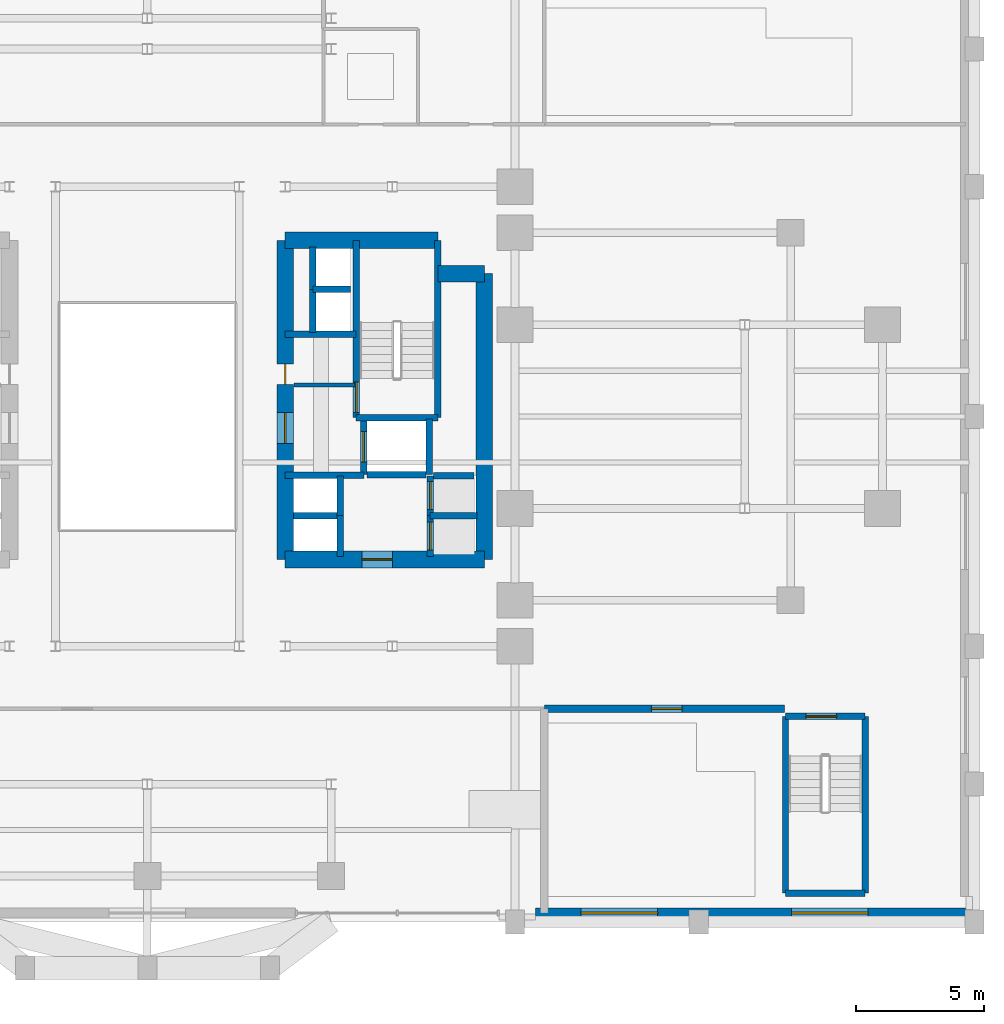
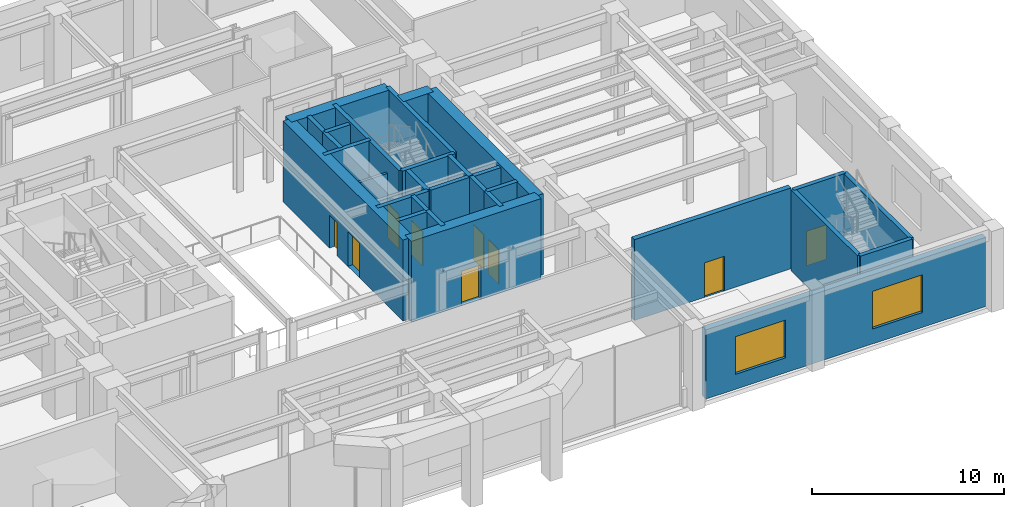
# One storey, part 11 of 16: 30 walls, 9 doors, 2 windows, 11 openings.
"""IFC4 building model written with IfcOpenShell, lengths in metres."""

from ifc_helpers import new_model, si_unit, direction, frame, frame_2d, origin, place, context, subcontext, project, spatial, rectangle, extrude, source, transform, mapped, material, layer, layer_set, type_object, element, fill, save


model = new_model("IFC4")

# Units and contexts
model_context = context("Model", 3, precision=1e-05, world=origin(), true_north=direction((0.0, 1.0)))
body_context = subcontext(model_context, "Body", "Model", "MODEL_VIEW")
ifc_project = project(units=[si_unit("LENGTHUNIT", "METRE"), si_unit("AREAUNIT", "SQUARE_METRE"), si_unit("VOLUMEUNIT", "CUBIC_METRE"), si_unit("PLANEANGLEUNIT", "RADIAN"), si_unit("MASSUNIT", "GRAM", prefix="KILO")], contexts=[model_context])

# Site, building, storey
site_placement = place(None, origin())
site = spatial("IfcSite", under=ifc_project, at=site_placement, CompositionType="ELEMENT")
building_placement = place(site_placement, origin())
building = spatial("IfcBuilding", under=site, at=building_placement, Name="Keilestroom Media Tower", CompositionType="ELEMENT")
storey_placement = place(building_placement, frame((0.0, 0.0, 10.199951171875)))
storey = spatial("IfcBuildingStorey", under=building, at=storey_placement, Name="L02", CompositionType="ELEMENT", Elevation=10.199951171875)

# Wall, opening, door
ifc_material_1 = material(Name="Concrete C45/55", Category="concrete")
ifc_layer_1 = layer(ifc_material_1, 0.300048828125)
ifc_layer_set_1 = layer_set([ifc_layer_1], Name="Concrete C45/55")
wall_type_1 = type_object("IfcWallType", Name="Acoustic-Studio-Isolation-Wall-300", PredefinedType="SOLIDWALL", material=ifc_layer_set_1)
wall_1_placement = place(storey_placement, frame((15.550048828125, -11.449951171875, 0.0), z_axis=(0.0, 0.0, 1.0), x_axis=(1.0, 0.0, 0.0)))
wall_1 = element("IfcWall", 1, at=wall_1_placement, inside=storey, type_object=wall_type_1, Name="L02 Interior Wall WP-L02-STD-SE-N", PredefinedType="SOLIDWALL", context=body_context, shape_type="SweptSolid", body=[
    extrude(rectangle(XDim=9.409912109375, YDim=0.300048828125, at=frame_2d((4.705078125, 0.0))), origin(), (0.0, 0.0, 1.0), 5.150146484375),
])
opening_1_placement = place(wall_1_placement, frame((4.199951171875, 0.0, 0.0)))
opening_1 = element("IfcOpeningElement", 2, at=opening_1_placement, cuts=wall_1, Name="Opening DI-02", PredefinedType="OPENING", context=body_context, shape_type="SweptSolid", body=[
    extrude(rectangle(XDim=1.199951171875, YDim=2.199951171875, at=frame_2d((0.60009765625, 1.10009765625))), frame((0.0, 0.16015625, 0.0), z_axis=(0.0, -1.0, 0.0), x_axis=(1.0, 0.0, 0.0)), (0.0, 0.0, 1.0), 0.320068359375),
])
ifc_material_2 = material(Name="Powder-Coated Steel Fire Leaf", Category="steel")
door_type_1 = type_object("IfcDoorType", Name="Interior-Compartment-Fire-Door-DI-02", OperationType="NOTDEFINED", PredefinedType="DOOR", material=ifc_material_2)
shared_shape_1 = source(origin(), body_context, "Body", "SweptSolid", [
    extrude(rectangle(XDim=1.199951171875, YDim=2.199951171875, at=frame_2d((0.60009765625, 1.10009765625))), frame((0.0, 0.02490234375, 0.0), z_axis=(0.0, -1.0, 0.0), x_axis=(1.0, 0.0, 0.0)), (0.0, 0.0, 1.0), 0.050048828125),
])
door_1_placement = place(opening_1_placement, origin())
door_1 = element("IfcDoor", 3, at=door_1_placement, inside=storey, type_object=door_type_1, Name="L02 Interior Door DI-L02-STD-SE-D", OperationType="SINGLE_SWING_RIGHT", OverallHeight=2.199951171875, OverallWidth=1.199951171875, PredefinedType="DOOR", context=body_context, shape_type="MappedRepresentation", body=[
    mapped(shared_shape_1, transform((0.0, 0.0, 0.0), x_axis=(1.0, 0.0, 0.0), y_axis=(0.0, 1.0, 0.0), z_axis=(0.0, 0.0, 1.0), scale=1.0)),
])
fill(opening_1, door_1)

# Wall, openings, windows
ifc_material_3 = material(Name="Precast concrete C40/50", Category="concrete")
ifc_layer_2 = layer(ifc_material_3, 0.3798828125)
ifc_layer_set_2 = layer_set([ifc_layer_2], Name="Precast concrete C40/50")
wall_type_2 = type_object("IfcWallType", Name="Exterior-Masonry-Spandrel-Wall-380", PredefinedType="SOLIDWALL", material=ifc_layer_set_2)
wall_2_placement = place(storey_placement, frame((15.199951171875, -19.449951171875, 0.0), z_axis=(0.0, 0.0, 1.0), x_axis=(1.0, 0.0, 0.0)))
wall_2 = element("IfcWall", 4, at=wall_2_placement, inside=storey, type_object=wall_type_2, Name="L02 Podium Precast Masonry Wall EWL-L02-S-E", PredefinedType="SOLIDWALL", context=body_context, shape_type="SweptSolid", body=[
    extrude(rectangle(XDim=16.85009765625, YDim=0.3798828125, at=frame_2d((8.425048828125, 0.0))), origin(), (0.0, 0.0, 1.0), 4.400146484375),
])
opening_2_placement = place(wall_2_placement, frame((1.7880859375, 0.0, 0.949951171875)))
opening_2 = element("IfcOpeningElement", 5, at=opening_2_placement, cuts=wall_2, Name="Opening WN-05", PredefinedType="OPENING", context=body_context, shape_type="SweptSolid", body=[
    extrude(rectangle(XDim=3.0, YDim=2.39990234375, at=frame_2d((1.5, 1.199951171875))), frame((0.0, 0.199951171875, 0.0), z_axis=(0.0, -1.0, 0.0), x_axis=(1.0, 0.0, 0.0)), (0.0, 0.0, 1.0), 0.39990234375),
])
opening_3_placement = place(wall_2_placement, frame((10.037109375, 0.0, 0.949951171875)))
opening_3 = element("IfcOpeningElement", 6, at=opening_3_placement, cuts=wall_2, Name="Opening WN-05", PredefinedType="OPENING", context=body_context, shape_type="SweptSolid", body=[
    extrude(rectangle(XDim=3.0, YDim=2.39990234375, at=frame_2d((1.5, 1.199951171875))), frame((0.0, 0.199951171875, 0.0), z_axis=(0.0, -1.0, 0.0), x_axis=(1.0, 0.0, 0.0)), (0.0, 0.0, 1.0), 0.39990234375),
])
ifc_material_4 = material(Name="Acoustic Studio Observation Window", Category="glass")
window_type = type_object("IfcWindowType", Name="Recessed-Punched-Window-WN-05", PartitioningType="TRIPLE_PANEL_VERTICAL", PredefinedType="WINDOW", material=ifc_material_4)
shared_shape_2 = source(origin(), body_context, "Body", "SweptSolid", [
    extrude(rectangle(XDim=3.0, YDim=2.39990234375, at=frame_2d((1.5, 1.199951171875))), frame((0.0, 0.030029296875, 0.0), z_axis=(0.0, -1.0, 0.0), x_axis=(1.0, 0.0, 0.0)), (0.0, 0.0, 1.0), 0.06005859375),
])
window_1_placement = place(opening_2_placement, origin())
window_1 = element("IfcWindow", 7, at=window_1_placement, inside=storey, type_object=window_type, Name="L02 Window WN-05 EWL-L02-S-E-1", OverallHeight=2.39990234375, OverallWidth=3.0, PartitioningType="SINGLE_PANEL", PredefinedType="WINDOW", context=body_context, shape_type="MappedRepresentation", body=[
    mapped(shared_shape_2, transform((0.0, 0.0, 0.0), x_axis=(1.0, 0.0, 0.0), y_axis=(0.0, 1.0, 0.0), z_axis=(0.0, 0.0, 1.0), scale=1.0)),
])
fill(opening_2, window_1)
window_2_placement = place(opening_3_placement, origin())
window_2 = element("IfcWindow", 8, at=window_2_placement, inside=storey, type_object=window_type, Name="L02 Window WN-05 EWL-L02-S-E-2", OverallHeight=2.39990234375, OverallWidth=3.0, PartitioningType="SINGLE_PANEL", PredefinedType="WINDOW", context=body_context, shape_type="MappedRepresentation", body=[
    mapped(shared_shape_2, transform((0.0, 0.0, 0.0), x_axis=(1.0, 0.0, 0.0), y_axis=(0.0, 1.0, 0.0), z_axis=(0.0, 0.0, 1.0), scale=1.0)),
])
fill(opening_3, window_2)

# Walls
ifc_material_5 = material(Name="Gypsum Plasterboard & Steel Stud", Category="steel")
ifc_layer_3 = layer(ifc_material_5, 0.14990234375)
ifc_layer_set_3 = layer_set([ifc_layer_3], Name="Gypsum Plasterboard & Steel Stud")
wall_type_3 = type_object("IfcWallType", Name="Interior-Partition-Wall-150", PredefinedType="PARTITIONING", material=ifc_layer_set_3)
wall_3_placement = place(storey_placement, frame((5.75, 1.239990234375, 0.0), z_axis=(0.0, 0.0, 1.0), x_axis=(1.0, 0.0, 0.0)))
element("IfcWall", 9, at=wall_3_placement, inside=storey, type_object=wall_type_3, Name="L02 Interior Wall WP-L02-FFE-TOP", PredefinedType="PARTITIONING", context=body_context, shape_type="SweptSolid", body=[
    extrude(rectangle(XDim=2.389892578125, YDim=0.14990234375, at=frame_2d((1.19482421875, 0.0))), origin(), (0.0, 0.0, 1.0), 4.25),
])
ifc_material_6 = material(Name="Concrete C70/85", Category="concrete")
ifc_layer_4 = layer(ifc_material_6, 0.64990234375)
ifc_layer_set_4 = layer_set([ifc_layer_4], Name="Concrete C70/85")
wall_type_4 = type_object("IfcWallType", Name="Reinforced-Concrete-Core-Shear-Wall-650", PredefinedType="SHEAR", material=ifc_layer_set_4)
wall_4_placement = place(storey_placement, frame((13.199951171875, -5.60009765625, 0.0), z_axis=(0.0, 0.0, 1.0), x_axis=(0.0, 1.0, 0.0)))
element("IfcWall", 10, at=wall_4_placement, inside=storey, type_object=wall_type_4, Name="L02 Core Shear Wall WL-L02-CORE-E-OUT", PredefinedType="SHEAR", context=body_context, shape_type="SweptSolid", body=[
    extrude(rectangle(XDim=11.2001953125, YDim=0.64990234375, at=frame_2d((5.60009765625, 0.0))), origin(), (0.0, 0.0, 1.0), 5.150146484375),
])

# Wall, openings, doors
wall_5_placement = place(storey_placement, frame((5.39990234375, -5.60009765625, 0.0), z_axis=(0.0, 0.0, 1.0), x_axis=(0.0, 1.0, 0.0)))
wall_5 = element("IfcWall", 11, at=wall_5_placement, inside=storey, type_object=wall_type_4, Name="L02 Core Shear Wall WL-L02-CORE-E-IN", PredefinedType="SHEAR", context=body_context, shape_type="SweptSolid", body=[
    extrude(rectangle(XDim=12.5, YDim=0.64990234375, at=frame_2d((6.25, 0.0))), origin(), (0.0, 0.0, 1.0), 5.150146484375),
])
opening_4_placement = place(wall_5_placement, frame((4.550048828125, 0.0, 0.0)))
opening_4 = element("IfcOpeningElement", 12, at=opening_4_placement, cuts=wall_5, Name="Opening DI-02", PredefinedType="OPENING", context=body_context, shape_type="SweptSolid", body=[
    extrude(rectangle(XDim=1.199951171875, YDim=2.199951171875, at=frame_2d((0.60009765625, 1.10009765625))), frame((0.0, 0.3349609375, 0.0), z_axis=(0.0, -1.0, 0.0), x_axis=(1.0, 0.0, 0.0)), (0.0, 0.0, 1.0), 0.669921875),
])
opening_5_placement = place(wall_5_placement, frame((6.860107421875, 0.0, 0.0)))
opening_5 = element("IfcOpeningElement", 13, at=opening_5_placement, cuts=wall_5, Name="Opening DI-06", PredefinedType="OPENING", context=body_context, shape_type="SweptSolid", body=[
    extrude(rectangle(XDim=0.800048828125, YDim=2.10009765625, at=frame_2d((0.39990234375, 1.050048828125))), frame((0.0, 0.3349609375, 0.0), z_axis=(0.0, -1.0, 0.0), x_axis=(1.0, 0.0, 0.0)), (0.0, 0.0, 1.0), 0.669921875),
])
door_2_placement = place(opening_4_placement, origin())
door_2 = element("IfcDoor", 14, at=door_2_placement, inside=storey, type_object=door_type_1, Name="L02 E Firefighting Lobby Door", OperationType="SINGLE_SWING_LEFT", OverallHeight=2.199951171875, OverallWidth=1.199951171875, PredefinedType="DOOR", context=body_context, shape_type="MappedRepresentation", body=[
    mapped(shared_shape_1, transform((0.0, 0.0, 0.0), x_axis=(1.0, 0.0, 0.0), y_axis=(0.0, 1.0, 0.0), z_axis=(0.0, 0.0, 1.0), scale=1.0)),
])
fill(opening_4, door_2)
ifc_material_7 = material(Name="Powder-Coated Steel Service Leaf", Category="steel")
door_type_2 = type_object("IfcDoorType", Name="Interior-Riser-Access-Door-DI-06", OperationType="NOTDEFINED", PredefinedType="DOOR", material=ifc_material_7)
shared_shape_3 = source(origin(), body_context, "Body", "SweptSolid", [
    extrude(rectangle(XDim=0.800048828125, YDim=2.10009765625, at=frame_2d((0.39990234375, 1.050048828125))), frame((0.0, 0.02490234375, 0.0), z_axis=(0.0, -1.0, 0.0), x_axis=(1.0, 0.0, 0.0)), (0.0, 0.0, 1.0), 0.050048828125),
])
door_3_placement = place(opening_5_placement, origin())
door_3 = element("IfcDoor", 15, at=door_3_placement, inside=storey, type_object=door_type_2, Name="L02 East Core Telecom Door", OperationType="SINGLE_SWING_RIGHT", OverallHeight=2.10009765625, OverallWidth=0.800048828125, PredefinedType="DOOR", context=body_context, shape_type="MappedRepresentation", body=[
    mapped(shared_shape_3, transform((0.0, 0.0, 0.0), x_axis=(1.0, 0.0, 0.0), y_axis=(0.0, 1.0, 0.0), z_axis=(0.0, 0.0, 1.0), scale=1.0)),
])
fill(opening_5, door_3)

# Walls
wall_6_placement = place(storey_placement, frame((5.39990234375, 6.89990234375, 0.0), z_axis=(0.0, 0.0, 1.0), x_axis=(1.0, 0.0, 0.0)))
element("IfcWall", 16, at=wall_6_placement, inside=storey, type_object=wall_type_4, Name="L02 Core Shear Wall WL-L02-CORE-E-N", PredefinedType="SHEAR", context=body_context, shape_type="SweptSolid", body=[
    extrude(rectangle(XDim=5.981201171875, YDim=0.64990234375, at=frame_2d((2.99072265625, 0.0))), origin(), (0.0, 0.0, 1.0), 5.150146484375),
])
wall_7_placement = place(storey_placement, frame((11.381103515625, 5.60009765625, 0.0), z_axis=(0.0, 0.0, 1.0), x_axis=(1.0, 0.0, 0.0)))
element("IfcWall", 17, at=wall_7_placement, inside=storey, type_object=wall_type_4, Name="L02 Core Shear Wall WL-L02-CNE-N", PredefinedType="SHEAR", context=body_context, shape_type="SweptSolid", body=[
    extrude(rectangle(XDim=1.81884765625, YDim=0.64990234375, at=frame_2d((0.909423828125, 0.0))), origin(), (0.0, 0.0, 1.0), 5.150146484375),
])

# Wall, opening, door
wall_8_placement = place(storey_placement, frame((5.39990234375, -5.60009765625, 0.0), z_axis=(0.0, 0.0, 1.0), x_axis=(1.0, 0.0, 0.0)))
wall_8 = element("IfcWall", 18, at=wall_8_placement, inside=storey, type_object=wall_type_4, Name="L02 Core Shear Wall WL-L02-CORE-E-S", PredefinedType="SHEAR", context=body_context, shape_type="SweptSolid", body=[
    extrude(rectangle(XDim=7.800048828125, YDim=0.64990234375, at=frame_2d((3.89990234375, 0.0))), origin(), (0.0, 0.0, 1.0), 5.150146484375),
])
opening_6_placement = place(wall_8_placement, frame((3.0, 0.0, 0.0)))
opening_6 = element("IfcOpeningElement", 19, at=opening_6_placement, cuts=wall_8, Name="Opening DI-02", PredefinedType="OPENING", context=body_context, shape_type="SweptSolid", body=[
    extrude(rectangle(XDim=1.199951171875, YDim=2.199951171875, at=frame_2d((0.60009765625, 1.10009765625))), frame((0.0, 0.3349609375, 0.0), z_axis=(0.0, -1.0, 0.0), x_axis=(1.0, 0.0, 0.0)), (0.0, 0.0, 1.0), 0.669921875),
])
door_4_placement = place(opening_6_placement, origin())
door_4 = element("IfcDoor", 20, at=door_4_placement, inside=storey, type_object=door_type_1, Name="L02 E Passenger Lift Lobby Door", OperationType="SINGLE_SWING_RIGHT", OverallHeight=2.199951171875, OverallWidth=1.199951171875, PredefinedType="DOOR", context=body_context, shape_type="MappedRepresentation", body=[
    mapped(shared_shape_1, transform((0.0, 0.0, 0.0), x_axis=(1.0, 0.0, 0.0), y_axis=(0.0, 1.0, 0.0), z_axis=(0.0, 0.0, 1.0), scale=1.0)),
])
fill(opening_6, door_4)

# Walls
ifc_material_8 = material(Name="Concrete C50/60", Category="concrete")
ifc_layer_5 = layer(ifc_material_8, 0.25)
ifc_layer_set_5 = layer_set([ifc_layer_5], Name="Concrete C50/60")
wall_type_5 = type_object("IfcWallType", Name="Reinforced-Concrete-Shaft-Wall-250", PredefinedType="SOLIDWALL", material=ifc_layer_set_5)
wall_9_placement = place(storey_placement, frame((5.39990234375, 3.219970703125, 0.0), z_axis=(0.0, 0.0, 1.0), x_axis=(1.0, 0.0, 0.0)))
element("IfcWall", 21, at=wall_9_placement, inside=storey, type_object=wall_type_5, Name="L02 Core Shear Wall WL-L02-CORE-E-FFN", PredefinedType="SOLIDWALL", context=body_context, shape_type="SweptSolid", body=[
    extrude(rectangle(XDim=2.780029296875, YDim=0.25, at=frame_2d((1.39013671875, 0.0))), origin(), (0.0, 0.0, 1.0), 5.150146484375),
])
wall_10_placement = place(storey_placement, frame((5.39990234375, -2.300048828125, 0.0), z_axis=(0.0, 0.0, 1.0), x_axis=(1.0, 0.0, 0.0)))
element("IfcWall", 22, at=wall_10_placement, inside=storey, type_object=wall_type_5, Name="L02 Core Shear Wall WL-L02-CORE-E-FFS", PredefinedType="SOLIDWALL", context=body_context, shape_type="SweptSolid", body=[
    extrude(rectangle(XDim=3.080078125, YDim=0.25, at=frame_2d((1.5400390625, 0.0))), origin(), (0.0, 0.0, 1.0), 5.150146484375),
])

# Wall, opening, door
wall_11_placement = place(storey_placement, frame((8.178955078125, -0.041015625, 0.0), z_axis=(0.0, 0.0, 1.0), x_axis=(0.0, 1.0, 0.0)))
wall_11 = element("IfcWall", 23, at=wall_11_placement, inside=storey, type_object=wall_type_5, Name="L02 Core Shear Wall WL-L02-STW-E-NEAR", PredefinedType="SOLIDWALL", context=body_context, shape_type="SweptSolid", body=[
    extrude(rectangle(XDim=6.94091796875, YDim=0.25, at=frame_2d((3.470458984375, 0.0))), origin(), (0.0, 0.0, 1.0), 5.150146484375),
])
opening_7_placement = place(wall_11_placement, frame((0.199951171875, 0.0, 0.0)))
opening_7 = element("IfcOpeningElement", 24, at=opening_7_placement, cuts=wall_11, Name="Opening DI-01S", PredefinedType="OPENING", context=body_context, shape_type="SweptSolid", body=[
    extrude(rectangle(XDim=1.199951171875, YDim=2.199951171875, at=frame_2d((0.60009765625, 1.10009765625))), frame((0.0, 0.135009765625, 0.0), z_axis=(0.0, -1.0, 0.0), x_axis=(1.0, 0.0, 0.0)), (0.0, 0.0, 1.0), 0.27001953125),
])
door_type_3 = type_object("IfcDoorType", Name="Interior-Stair-And-Core-Fire-Door-DI-01", OperationType="NOTDEFINED", PredefinedType="DOOR", material=ifc_material_2)
door_5_placement = place(opening_7_placement, origin())
door_5 = element("IfcDoor", 25, at=door_5_placement, inside=storey, type_object=door_type_3, Name="L02 Escape Stair ST-2 Fire Door", OperationType="SINGLE_SWING_RIGHT", OverallHeight=2.199951171875, OverallWidth=1.199951171875, PredefinedType="DOOR", context=body_context, shape_type="MappedRepresentation", body=[
    mapped(shared_shape_1, transform((0.0, 0.0, 0.0), x_axis=(1.0, 0.0, 0.0), y_axis=(0.0, 1.0, 0.0), z_axis=(0.0, 0.0, 1.0), scale=1.0)),
])
fill(opening_7, door_5)

# Walls
wall_12_placement = place(storey_placement, frame((11.381103515625, -0.041015625, 0.0), z_axis=(0.0, 0.0, 1.0), x_axis=(0.0, 1.0, 0.0)))
element("IfcWall", 26, at=wall_12_placement, inside=storey, type_object=wall_type_5, Name="L02 Core Shear Wall WL-L02-STW-E-FAR", PredefinedType="SOLIDWALL", context=body_context, shape_type="SweptSolid", body=[
    extrude(rectangle(XDim=6.94091796875, YDim=0.25, at=frame_2d((3.470458984375, 0.0))), origin(), (0.0, 0.0, 1.0), 5.150146484375),
])
wall_13_placement = place(storey_placement, frame((8.178955078125, -0.041015625, 0.0), z_axis=(0.0, 0.0, 1.0), x_axis=(1.0, 0.0, 0.0)))
element("IfcWall", 27, at=wall_13_placement, inside=storey, type_object=wall_type_5, Name="L02 Core Shear Wall WL-L02-STW-E-S", PredefinedType="SOLIDWALL", context=body_context, shape_type="SweptSolid", body=[
    extrude(rectangle(XDim=3.2021484375, YDim=0.25, at=frame_2d((1.60107421875, 0.0))), origin(), (0.0, 0.0, 1.0), 5.150146484375),
])
for number, where, z_axis, x_axis, name in (
    (28, (24.9990234375, -18.6708984375, 0.0), (0.0, 0.0, 1.0), (0.0, 1.0, 0.0), "L02 Core Shear Wall WL-L02-ST-4-W"),
    (29, (28.12109375, -18.6708984375, 0.0), (0.0, 0.0, 1.0), (0.0, 1.0, 0.0), "L02 Core Shear Wall WL-L02-ST-4-E"),
):
    element("IfcWall", number, at=place(storey_placement, frame(where, z_axis=z_axis, x_axis=x_axis)), inside=storey, type_object=wall_type_5, Name=name, PredefinedType="SOLIDWALL", context=body_context, shape_type="SweptSolid", body=[
        extrude(rectangle(XDim=6.921875, YDim=0.25, at=frame_2d((3.4609375, 0.0))), origin(), (0.0, 0.0, 1.0), 5.150146484375),
    ])
wall_14_placement = place(storey_placement, frame((24.9990234375, -18.6708984375, 0.0), z_axis=(0.0, 0.0, 1.0), x_axis=(1.0, 0.0, 0.0)))
element("IfcWall", 30, at=wall_14_placement, inside=storey, type_object=wall_type_5, Name="L02 Core Shear Wall WL-L02-ST-4-S", PredefinedType="SOLIDWALL", context=body_context, shape_type="SweptSolid", body=[
    extrude(rectangle(XDim=3.1220703125, YDim=0.25, at=frame_2d((1.56103515625, 0.0))), origin(), (0.0, 0.0, 1.0), 5.150146484375),
])

# Wall, opening, door
wall_15_placement = place(storey_placement, frame((24.9990234375, -11.7490234375, 0.0), z_axis=(0.0, 0.0, 1.0), x_axis=(1.0, 0.0, 0.0)))
wall_15 = element("IfcWall", 31, at=wall_15_placement, inside=storey, type_object=wall_type_5, Name="L02 Core Shear Wall WL-L02-ST-4-N", PredefinedType="SOLIDWALL", context=body_context, shape_type="SweptSolid", body=[
    extrude(rectangle(XDim=3.1220703125, YDim=0.25, at=frame_2d((1.56103515625, 0.0))), origin(), (0.0, 0.0, 1.0), 5.150146484375),
])
opening_8_placement = place(wall_15_placement, frame((0.800048828125, 0.0, 0.0)))
opening_8 = element("IfcOpeningElement", 32, at=opening_8_placement, cuts=wall_15, Name="Opening DI-01S", PredefinedType="OPENING", context=body_context, shape_type="SweptSolid", body=[
    extrude(rectangle(XDim=1.199951171875, YDim=2.199951171875, at=frame_2d((0.60009765625, 1.10009765625))), frame((0.0, 0.135009765625, 0.0), z_axis=(0.0, -1.0, 0.0), x_axis=(1.0, 0.0, 0.0)), (0.0, 0.0, 1.0), 0.27001953125),
])
door_6_placement = place(opening_8_placement, origin())
door_6 = element("IfcDoor", 33, at=door_6_placement, inside=storey, type_object=door_type_3, Name="L02 Podium Stair ST-4 Fire Door", OperationType="SINGLE_SWING_LEFT", OverallHeight=2.199951171875, OverallWidth=1.199951171875, PredefinedType="DOOR", context=body_context, shape_type="MappedRepresentation", body=[
    mapped(shared_shape_1, transform((0.0, 0.0, 0.0), x_axis=(1.0, 0.0, 0.0), y_axis=(0.0, 1.0, 0.0), z_axis=(0.0, 0.0, 1.0), scale=1.0)),
])
fill(opening_8, door_6)

wall_16_placement = place(storey_placement, frame((8.47998046875, -2.280029296875, 0.0), z_axis=(0.0, 0.0, 1.0), x_axis=(0.0, 1.0, 0.0)))
wall_16 = element("IfcWall", 34, at=wall_16_placement, inside=storey, type_object=wall_type_5, Name="L02 Core Shear Wall WL-L02-LSH-FFL-2-W", PredefinedType="SOLIDWALL", context=body_context, shape_type="SweptSolid", body=[
    extrude(rectangle(XDim=2.179931640625, YDim=0.25, at=frame_2d((1.08984375, 0.0))), origin(), (0.0, 0.0, 1.0), 5.150146484375),
])
opening_9_placement = place(wall_16_placement, frame((0.489990234375, 0.0, 0.0)))
opening_9 = element("IfcOpeningElement", 35, at=opening_9_placement, cuts=wall_16, Name="Opening LD-02", PredefinedType="OPENING", context=body_context, shape_type="SweptSolid", body=[
    extrude(rectangle(XDim=1.199951171875, YDim=2.199951171875, at=frame_2d((0.60009765625, 1.10009765625))), frame((0.0, 0.135009765625, 0.0), z_axis=(0.0, -1.0, 0.0), x_axis=(1.0, 0.0, 0.0)), (0.0, 0.0, 1.0), 0.27001953125),
])
ifc_material_9 = material(Name="Brushed Stainless Steel Sliding Leaf", Category="steel")
door_type_4 = type_object("IfcDoorType", Name="Lift-Landing-Sliding-Door-LD-02", OperationType="SLIDING_TO_RIGHT", PredefinedType="DOOR", material=ifc_material_9)
door_7_placement = place(opening_9_placement, origin())
door_7 = element("IfcDoor", 36, at=door_7_placement, inside=storey, type_object=door_type_4, Name="L02 Lift FFL-2 Landing Sliding Door", OperationType="SLIDING_TO_RIGHT", OverallHeight=2.199951171875, OverallWidth=1.199951171875, PredefinedType="DOOR", context=body_context, shape_type="MappedRepresentation", body=[
    mapped(shared_shape_1, transform((0.0, 0.0, 0.0), x_axis=(1.0, 0.0, 0.0), y_axis=(0.0, 1.0, 0.0), z_axis=(0.0, 0.0, 1.0), scale=1.0)),
])
fill(opening_9, door_7)

# Walls
wall_17_placement = place(storey_placement, frame((11.050048828125, -2.280029296875, 0.0), z_axis=(0.0, 0.0, 1.0), x_axis=(0.0, 1.0, 0.0)))
element("IfcWall", 37, at=wall_17_placement, inside=storey, type_object=wall_type_5, Name="L02 Core Shear Wall WL-L02-LSH-FFL-2-E", PredefinedType="SOLIDWALL", context=body_context, shape_type="SweptSolid", body=[
    extrude(rectangle(XDim=2.179931640625, YDim=0.25, at=frame_2d((1.08984375, 0.0))), origin(), (0.0, 0.0, 1.0), 5.150146484375),
])
wall_18_placement = place(storey_placement, frame((8.60888671875, -2.280029296875, 0.0), z_axis=(0.0, 0.0, 1.0), x_axis=(1.0, 0.0, 0.0)))
element("IfcWall", 38, at=wall_18_placement, inside=storey, type_object=wall_type_5, Name="L02 Core Shear Wall WL-L02-LSH-FFL-2-S", PredefinedType="SOLIDWALL", context=body_context, shape_type="SweptSolid", body=[
    extrude(rectangle(XDim=2.31201171875, YDim=0.25, at=frame_2d((1.156005859375, 0.0))), origin(), (0.0, 0.0, 1.0), 5.150146484375),
])

# Wall, opening, door
wall_19_placement = place(storey_placement, frame((11.080078125, -5.47998046875, 0.0), z_axis=(0.0, 0.0, 1.0), x_axis=(0.0, 1.0, 0.0)))
wall_19 = element("IfcWall", 39, at=wall_19_placement, inside=storey, type_object=wall_type_5, Name="L02 Core Shear Wall WL-L02-LSH-PL-L3-W", PredefinedType="SOLIDWALL", context=body_context, shape_type="SweptSolid", body=[
    extrude(rectangle(XDim=1.60009765625, YDim=0.25, at=frame_2d((0.800048828125, 0.0))), origin(), (0.0, 0.0, 1.0), 5.150146484375),
])
opening_10_placement = place(wall_19_placement, frame((0.25, 0.0, 0.0)))
opening_10 = element("IfcOpeningElement", 40, at=opening_10_placement, cuts=wall_19, Name="Opening LD-01", PredefinedType="OPENING", context=body_context, shape_type="SweptSolid", body=[
    extrude(rectangle(XDim=1.10009765625, YDim=2.199951171875, at=frame_2d((0.550048828125, 1.10009765625))), frame((0.0, 0.135009765625, 0.0), z_axis=(0.0, -1.0, 0.0), x_axis=(1.0, 0.0, 0.0)), (0.0, 0.0, 1.0), 0.27001953125),
])
door_type_5 = type_object("IfcDoorType", Name="Lift-Landing-Sliding-Door-LD-01", OperationType="SLIDING_TO_LEFT", PredefinedType="DOOR", material=ifc_material_9)
shared_shape_4 = source(origin(), body_context, "Body", "SweptSolid", [
    extrude(rectangle(XDim=1.10009765625, YDim=2.199951171875, at=frame_2d((0.550048828125, 1.10009765625))), frame((0.0, 0.02490234375, 0.0), z_axis=(0.0, -1.0, 0.0), x_axis=(1.0, 0.0, 0.0)), (0.0, 0.0, 1.0), 0.050048828125),
])
door_8_placement = place(opening_10_placement, origin())
door_8 = element("IfcDoor", 41, at=door_8_placement, inside=storey, type_object=door_type_5, Name="L02 Lift PL-L3 Landing Sliding Door", OperationType="SLIDING_TO_LEFT", OverallHeight=2.199951171875, OverallWidth=1.10009765625, PredefinedType="DOOR", context=body_context, shape_type="MappedRepresentation", body=[
    mapped(shared_shape_4, transform((0.0, 0.0, 0.0), x_axis=(1.0, 0.0, 0.0), y_axis=(0.0, 1.0, 0.0), z_axis=(0.0, 0.0, 1.0), scale=1.0)),
])
fill(opening_10, door_8)

# Wall
wall_20_placement = place(storey_placement, frame((11.080078125, -3.8798828125, 0.0), z_axis=(0.0, 0.0, 1.0), x_axis=(1.0, 0.0, 0.0)))
element("IfcWall", 42, at=wall_20_placement, inside=storey, type_object=wall_type_5, Name="L02 Core Shear Wall WL-L02-LSH-PL-L3-N", PredefinedType="SOLIDWALL", context=body_context, shape_type="SweptSolid", body=[
    extrude(rectangle(XDim=1.83984375, YDim=0.25, at=frame_2d((0.919921875, 0.0))), origin(), (0.0, 0.0, 1.0), 5.150146484375),
])

# Wall, opening, door
wall_21_placement = place(storey_placement, frame((11.080078125, -3.8798828125, 0.0), z_axis=(0.0, 0.0, 1.0), x_axis=(0.0, 1.0, 0.0)))
wall_21 = element("IfcWall", 43, at=wall_21_placement, inside=storey, type_object=wall_type_5, Name="L02 Core Shear Wall WL-L02-LSH-PL-L4-W", PredefinedType="SOLIDWALL", context=body_context, shape_type="SweptSolid", body=[
    extrude(rectangle(XDim=1.559814453125, YDim=0.25, at=frame_2d((0.77978515625, 0.0))), origin(), (0.0, 0.0, 1.0), 5.150146484375),
])
opening_11_placement = place(wall_21_placement, frame((0.22998046875, 0.0, 0.0)))
opening_11 = element("IfcOpeningElement", 44, at=opening_11_placement, cuts=wall_21, Name="Opening LD-01", PredefinedType="OPENING", context=body_context, shape_type="SweptSolid", body=[
    extrude(rectangle(XDim=1.10009765625, YDim=2.199951171875, at=frame_2d((0.550048828125, 1.10009765625))), frame((0.0, 0.135009765625, 0.0), z_axis=(0.0, -1.0, 0.0), x_axis=(1.0, 0.0, 0.0)), (0.0, 0.0, 1.0), 0.27001953125),
])
door_9_placement = place(opening_11_placement, origin())
door_9 = element("IfcDoor", 45, at=door_9_placement, inside=storey, type_object=door_type_5, Name="L02 Lift PL-L4 Landing Sliding Door", OperationType="SLIDING_TO_LEFT", OverallHeight=2.199951171875, OverallWidth=1.10009765625, PredefinedType="DOOR", context=body_context, shape_type="MappedRepresentation", body=[
    mapped(shared_shape_4, transform((0.0, 0.0, 0.0), x_axis=(1.0, 0.0, 0.0), y_axis=(0.0, 1.0, 0.0), z_axis=(0.0, 0.0, 1.0), scale=1.0)),
])
fill(opening_11, door_9)

# Walls
wall_22_placement = place(storey_placement, frame((11.208984375, -2.320068359375, 0.0), z_axis=(0.0, 0.0, 1.0), x_axis=(1.0, 0.0, 0.0)))
element("IfcWall", 46, at=wall_22_placement, inside=storey, type_object=wall_type_5, Name="L02 Core Shear Wall WL-L02-LSH-PL-L4-N", PredefinedType="SOLIDWALL", context=body_context, shape_type="SweptSolid", body=[
    extrude(rectangle(XDim=1.58203125, YDim=0.25, at=frame_2d((0.791015625, 0.0))), origin(), (0.0, 0.0, 1.0), 5.150146484375),
])
wall_23_placement = place(storey_placement, frame((7.56005859375, -5.47998046875, 0.0), z_axis=(0.0, 0.0, 1.0), x_axis=(0.0, 1.0, 0.0)))
element("IfcWall", 47, at=wall_23_placement, inside=storey, type_object=wall_type_5, Name="L02 Core Shear Wall WL-L02-LSH-PL-M3-E", PredefinedType="SOLIDWALL", context=body_context, shape_type="SweptSolid", body=[
    extrude(rectangle(XDim=1.60009765625, YDim=0.25, at=frame_2d((0.800048828125, 0.0))), origin(), (0.0, 0.0, 1.0), 5.150146484375),
])
wall_24_placement = place(storey_placement, frame((5.719970703125, -3.8798828125, 0.0), z_axis=(0.0, 0.0, 1.0), x_axis=(1.0, 0.0, 0.0)))
element("IfcWall", 48, at=wall_24_placement, inside=storey, type_object=wall_type_5, Name="L02 Core Shear Wall WL-L02-LSH-PL-M3-N", PredefinedType="SOLIDWALL", context=body_context, shape_type="SweptSolid", body=[
    extrude(rectangle(XDim=1.840087890625, YDim=0.25, at=frame_2d((0.919921875, 0.0))), origin(), (0.0, 0.0, 1.0), 5.150146484375),
])
wall_25_placement = place(storey_placement, frame((7.56005859375, -3.8798828125, 0.0), z_axis=(0.0, 0.0, 1.0), x_axis=(0.0, 1.0, 0.0)))
element("IfcWall", 49, at=wall_25_placement, inside=storey, type_object=wall_type_5, Name="L02 Core Shear Wall WL-L02-LSH-PL-M4-E", PredefinedType="SOLIDWALL", context=body_context, shape_type="SweptSolid", body=[
    extrude(rectangle(XDim=1.559814453125, YDim=0.25, at=frame_2d((0.77978515625, 0.0))), origin(), (0.0, 0.0, 1.0), 5.150146484375),
])
wall_26_placement = place(storey_placement, frame((6.47998046875, 3.300048828125, 0.0), z_axis=(0.0, 0.0, 1.0), x_axis=(0.0, 1.0, 0.0)))
element("IfcWall", 50, at=wall_26_placement, inside=storey, type_object=wall_type_5, Name="L02 Core Shear Wall WL-L02-LSH-PL-H3-W", PredefinedType="SOLIDWALL", context=body_context, shape_type="SweptSolid", body=[
    extrude(rectangle(XDim=1.679931640625, YDim=0.25, at=frame_2d((0.83984375, 0.0))), origin(), (0.0, 0.0, 1.0), 5.150146484375),
])
wall_27_placement = place(storey_placement, frame((6.47998046875, 4.97998046875, 0.0), z_axis=(0.0, 0.0, 1.0), x_axis=(1.0, 0.0, 0.0)))
element("IfcWall", 51, at=wall_27_placement, inside=storey, type_object=wall_type_5, Name="L02 Core Shear Wall WL-L02-LSH-PL-H3-N", PredefinedType="SOLIDWALL", context=body_context, shape_type="SweptSolid", body=[
    extrude(rectangle(XDim=1.469970703125, YDim=0.25, at=frame_2d((0.73486328125, 0.0))), origin(), (0.0, 0.0, 1.0), 5.150146484375),
])
wall_28_placement = place(storey_placement, frame((6.47998046875, 4.97998046875, 0.0), z_axis=(0.0, 0.0, 1.0), x_axis=(0.0, 1.0, 0.0)))
element("IfcWall", 52, at=wall_28_placement, inside=storey, type_object=wall_type_5, Name="L02 Core Shear Wall WL-L02-LSH-PL-H4-W", PredefinedType="SOLIDWALL", context=body_context, shape_type="SweptSolid", body=[
    extrude(rectangle(XDim=1.669921875, YDim=0.25, at=frame_2d((0.8349609375, 0.0))), origin(), (0.0, 0.0, 1.0), 5.150146484375),
])

save(model, "model.ifc")
